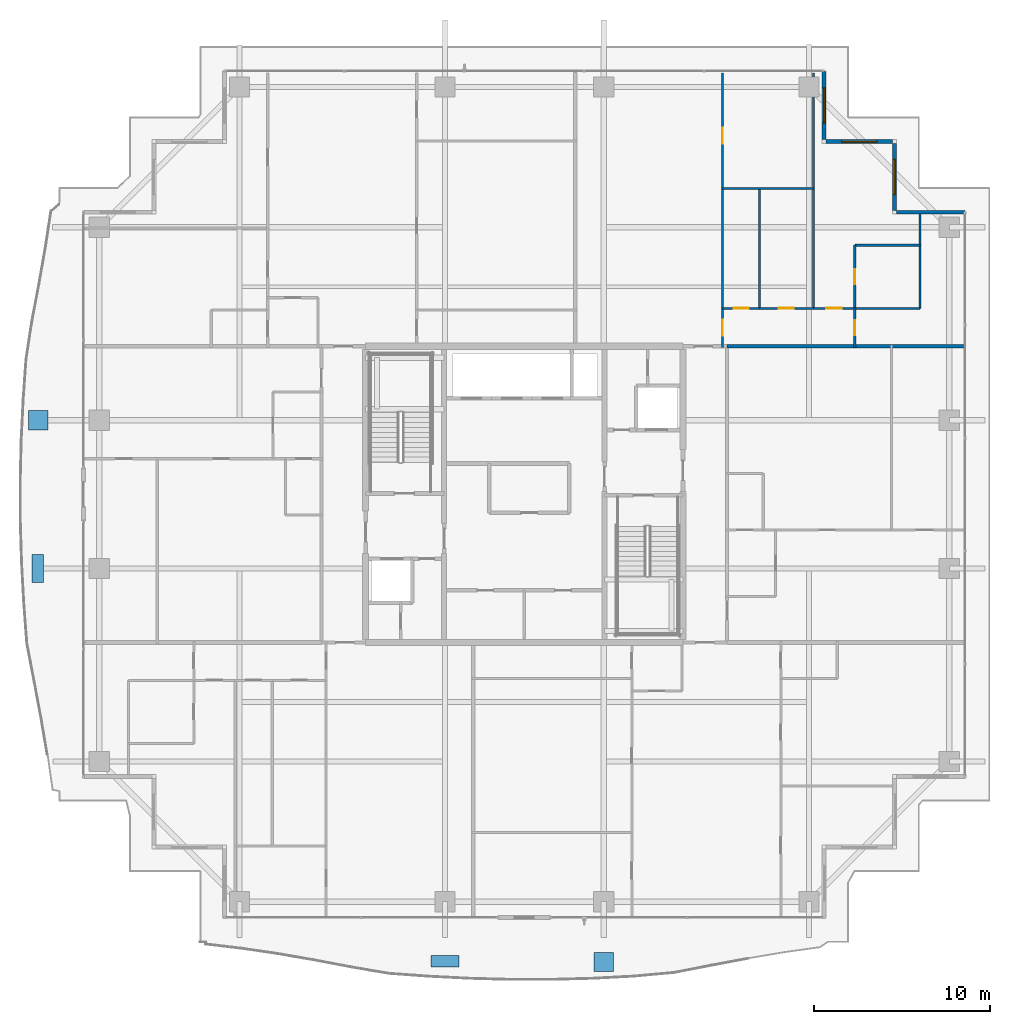
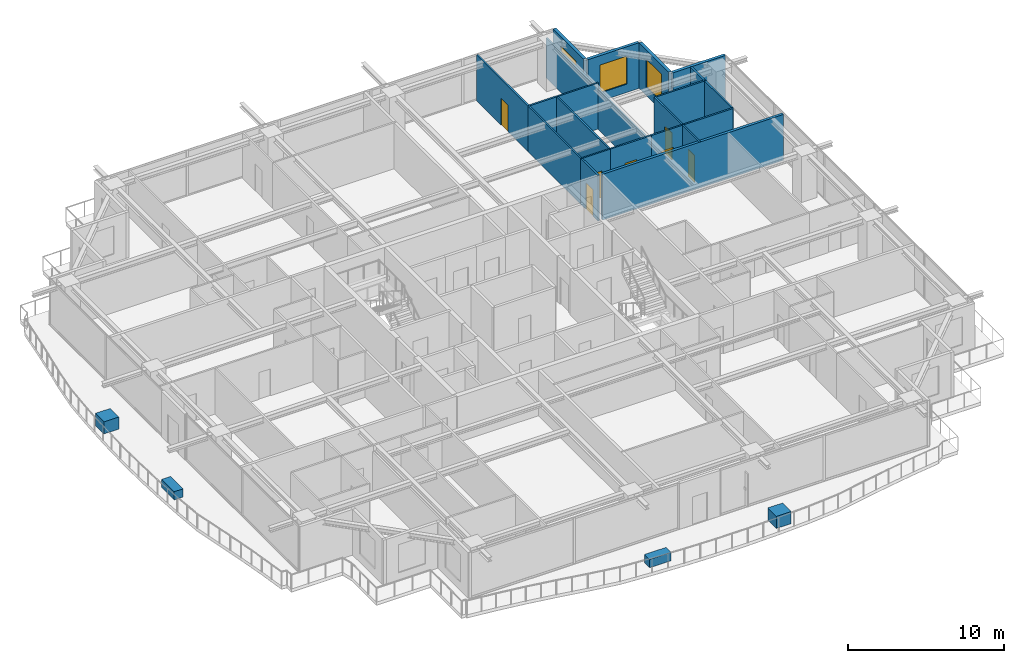
# One storey, part 28 of 37: 19 walls, 7 doors, 4 discrete accessories, 3 windows, 10 openings.
"""IFC4 building model written with IfcOpenShell, lengths in metres."""

from ifc_helpers import new_model, si_unit, direction, frame, frame_2d, origin, origin_2d, place, context, subcontext, project, spatial, rectangle, extrude, source, transform, mapped, material, layer, layer_set, type_object, element, fill, save


model = new_model("IFC4")

# Units and contexts
model_context = context("Model", 3, precision=1e-05, world=origin(), true_north=direction((0.0, 1.0)))
body_context = subcontext(model_context, "Body", "Model", "MODEL_VIEW")
ifc_project = project(units=[si_unit("LENGTHUNIT", "METRE"), si_unit("AREAUNIT", "SQUARE_METRE"), si_unit("VOLUMEUNIT", "CUBIC_METRE"), si_unit("PLANEANGLEUNIT", "RADIAN"), si_unit("MASSUNIT", "GRAM", prefix="KILO")], contexts=[model_context])

# Site, building, storey
site_placement = place(None, origin())
site = spatial("IfcSite", under=ifc_project, at=site_placement, CompositionType="ELEMENT")
building_placement = place(site_placement, origin())
building = spatial("IfcBuilding", under=site, at=building_placement, Name="Serunith Strait Residences", CompositionType="ELEMENT")
storey_placement = place(building_placement, frame((0.0, 0.0, 218.14990234375)))
storey = spatial("IfcBuildingStorey", under=building, at=storey_placement, Name="L54", CompositionType="ELEMENT", Elevation=218.14990234375)

# Wall
ifc_material_1 = material(Name="Pale-Champagne Aluminium Insulated Panel", Category="aluminium")
ifc_layer_1 = layer(ifc_material_1, 0.219970703125, Name="Pale-Champagne Aluminium Insulated Panel")
ifc_layer_set_1 = layer_set([ifc_layer_1], Name="Pale-Champagne Aluminium Insulated Panel")
wall_type_1 = type_object("IfcWallType", Name="EW-ALUM-220", PredefinedType="ELEMENTEDWALL", material=ifc_layer_set_1)
wall_1_placement = place(storey_placement, frame((57.39990234375, 41.199951171875, 0.0), z_axis=(0.0, 0.0, 1.0), x_axis=(-1.0, 0.0, 0.0)))
element("IfcWall", 1, at=wall_1_placement, inside=storey, type_object=wall_type_1, Name="L54 Girih Serrated Corner Wall 07", PredefinedType="ELEMENTEDWALL", context=body_context, shape_type="SweptSolid", body=[
    extrude(rectangle(XDim=3.889892578125, YDim=0.219970703125, at=frame_2d((1.94482421875, 0.0))), origin(), (0.0, 0.0, 1.0), 3.5751953125),
])

# Wall, opening, window
wall_2_placement = place(storey_placement, frame((53.39990234375, 41.31005859375, 0.0), z_axis=(0.0, 0.0, 1.0), x_axis=(0.0, 1.0, 0.0)))
wall_2 = element("IfcWall", 2, at=wall_2_placement, inside=storey, type_object=wall_type_1, Name="L54 Girih Serrated Corner Wall 08", PredefinedType="ELEMENTEDWALL", context=body_context, shape_type="SweptSolid", body=[
    extrude(rectangle(XDim=3.780029296875, YDim=0.219970703125, at=frame_2d((1.89013671875, 0.0))), origin(), (0.0, 0.0, 1.0), 3.5751953125),
])
opening_1_placement = place(wall_2_placement, frame((0.889892578125, 0.0, 0.64990234375)))
opening_1 = element("IfcOpeningElement", 3, at=opening_1_placement, cuts=wall_2, Name="Opening W-04", PredefinedType="OPENING", context=body_context, shape_type="SweptSolid", body=[
    extrude(rectangle(XDim=2.0, YDim=2.199951171875, at=frame_2d((1.0, 1.10009765625))), frame((0.0, 0.1201171875, 0.0), z_axis=(0.0, -1.0, 0.0), x_axis=(1.0, 0.0, 0.0)), (0.0, 0.0, 1.0), 0.239990234375),
])
ifc_material_2 = material(Name="Ceramic-Fritted Operable Aluminium Window Glass", Category="aluminium")
window_type = type_object("IfcWindowType", Name="WIN-C4", PartitioningType="TRIPLE_PANEL_VERTICAL", PredefinedType="WINDOW", material=ifc_material_2)
shared_shape_1 = source(origin(), body_context, "Body", "SweptSolid", [
    extrude(rectangle(XDim=2.0, YDim=2.199951171875, at=frame_2d((1.0, 1.10009765625))), frame((0.0, 0.030029296875, 0.0), z_axis=(0.0, -1.0, 0.0), x_axis=(1.0, 0.0, 0.0)), (0.0, 0.0, 1.0), 0.06005859375),
])
window_1_placement = place(opening_1_placement, origin())
window_1 = element("IfcWindow", 4, at=window_1_placement, inside=storey, type_object=window_type, Name="L54 Corner Operable Fritted Window 08", OverallHeight=2.199951171875, OverallWidth=2.0, PartitioningType="SINGLE_PANEL", PredefinedType="WINDOW", context=body_context, shape_type="MappedRepresentation", body=[
    mapped(shared_shape_1, transform((0.0, 0.0, 0.0), scale=1.0)),
])
fill(opening_1, window_1)

wall_3_placement = place(storey_placement, frame((53.2900390625, 45.199951171875, 0.0), z_axis=(0.0, 0.0, 1.0), x_axis=(-1.0, 0.0, 0.0)))
wall_3 = element("IfcWall", 5, at=wall_3_placement, inside=storey, type_object=wall_type_1, Name="L54 Girih Serrated Corner Wall 09", PredefinedType="ELEMENTEDWALL", context=body_context, shape_type="SweptSolid", body=[
    extrude(rectangle(XDim=3.780029296875, YDim=0.219970703125, at=frame_2d((1.89013671875, 0.0))), origin(), (0.0, 0.0, 1.0), 3.5751953125),
])
opening_2_placement = place(wall_3_placement, frame((0.889892578125, 0.0, 0.64990234375)))
opening_2 = element("IfcOpeningElement", 6, at=opening_2_placement, cuts=wall_3, Name="Opening W-04", PredefinedType="OPENING", context=body_context, shape_type="SweptSolid", body=[
    extrude(rectangle(XDim=2.0, YDim=2.199951171875, at=frame_2d((1.0, 1.10009765625))), frame((0.0, 0.1201171875, 0.0), z_axis=(0.0, -1.0, 0.0), x_axis=(1.0, 0.0, 0.0)), (0.0, 0.0, 1.0), 0.239990234375),
])
window_2_placement = place(opening_2_placement, origin())
window_2 = element("IfcWindow", 7, at=window_2_placement, inside=storey, type_object=window_type, Name="L54 Corner Operable Fritted Window 09", OverallHeight=2.199951171875, OverallWidth=2.0, PartitioningType="SINGLE_PANEL", PredefinedType="WINDOW", context=body_context, shape_type="MappedRepresentation", body=[
    mapped(shared_shape_1, transform((0.0, 0.0, 0.0), scale=1.0)),
])
fill(opening_2, window_2)

wall_4_placement = place(storey_placement, frame((49.39990234375, 45.31005859375, 0.0), z_axis=(0.0, 0.0, 1.0), x_axis=(0.0, 1.0, 0.0)))
wall_4 = element("IfcWall", 8, at=wall_4_placement, inside=storey, type_object=wall_type_1, Name="L54 Girih Serrated Corner Wall 10", PredefinedType="ELEMENTEDWALL", context=body_context, shape_type="SweptSolid", body=[
    extrude(rectangle(XDim=3.889892578125, YDim=0.219970703125, at=frame_2d((1.94482421875, 0.0))), origin(), (0.0, 0.0, 1.0), 3.5751953125),
])
opening_3_placement = place(wall_4_placement, frame((0.945068359375, 0.0, 0.64990234375)))
opening_3 = element("IfcOpeningElement", 9, at=opening_3_placement, cuts=wall_4, Name="Opening W-04", PredefinedType="OPENING", context=body_context, shape_type="SweptSolid", body=[
    extrude(rectangle(XDim=2.0, YDim=2.199951171875, at=frame_2d((1.0, 1.10009765625))), frame((0.0, 0.1201171875, 0.0), z_axis=(0.0, -1.0, 0.0), x_axis=(1.0, 0.0, 0.0)), (0.0, 0.0, 1.0), 0.239990234375),
])
window_3_placement = place(opening_3_placement, origin())
window_3 = element("IfcWindow", 10, at=window_3_placement, inside=storey, type_object=window_type, Name="L54 Corner Operable Fritted Window 10", OverallHeight=2.199951171875, OverallWidth=2.0, PartitioningType="SINGLE_PANEL", PredefinedType="WINDOW", context=body_context, shape_type="MappedRepresentation", body=[
    mapped(shared_shape_1, transform((0.0, 0.0, 0.0), scale=1.0)),
])
fill(opening_3, window_3)

# Wall, opening, door
ifc_material_3 = material(Name="Lightweight steel-stud gypsum partition", Category="steel")
ifc_layer_2 = layer(ifc_material_3, 0.1201171875, Name="Lightweight steel-stud gypsum partition")
ifc_layer_set_2 = layer_set([ifc_layer_2], Name="Lightweight steel-stud gypsum partition")
wall_type_2 = type_object("IfcWallType", Name="IW-PART-120", PredefinedType="PARTITIONING", material=ifc_layer_set_2)
wall_5_placement = place(storey_placement, frame((43.639892578125, 35.75, 0.0), z_axis=(0.0, 0.0, 1.0), x_axis=(0.0, -1.0, 0.0)))
wall_5 = element("IfcWall", 11, at=wall_5_placement, inside=storey, type_object=wall_type_2, Name="L54 Partition Wall 072", PredefinedType="PARTITIONING", context=body_context, shape_type="SweptSolid", body=[
    extrude(rectangle(XDim=2.2099609375, YDim=0.1201171875, at=frame_2d((1.10498046875, 0.0))), origin(), (0.0, 0.0, 1.0), 3.590087890625),
])
opening_4_placement = place(wall_5_placement, frame((0.655029296875, 0.0, 0.0)))
opening_4 = element("IfcOpeningElement", 12, at=opening_4_placement, cuts=wall_5, Name="Opening D-RM900", PredefinedType="OPENING", context=body_context, shape_type="SweptSolid", body=[
    extrude(rectangle(XDim=0.89990234375, YDim=2.10009765625, at=frame_2d((0.449951171875, 1.050048828125))), frame((0.0, 0.070068359375, 0.0), z_axis=(0.0, -1.0, 0.0), x_axis=(1.0, 0.0, 0.0)), (0.0, 0.0, 1.0), 0.14013671875),
])
ifc_material_4 = material(Name="Engineered timber flush bedroom door", Category="wood")
door_type_1 = type_object("IfcDoorType", Name="ID-ROOM-900", OperationType="NOTDEFINED", PredefinedType="DOOR", material=ifc_material_4)
shared_shape_2 = source(origin(), body_context, "Body", "SweptSolid", [
    extrude(rectangle(XDim=0.89990234375, YDim=2.10009765625, at=frame_2d((0.449951171875, 1.050048828125))), frame((0.0, 0.02490234375, 0.0), z_axis=(0.0, -1.0, 0.0), x_axis=(1.0, 0.0, 0.0)), (0.0, 0.0, 1.0), 0.050048828125),
])
door_1_placement = place(opening_4_placement, origin())
door_1 = element("IfcDoor", 13, at=door_1_placement, inside=storey, type_object=door_type_1, Name="L54 Hall E 5404 Door", OperationType="SINGLE_SWING_RIGHT", OverallHeight=2.10009765625, OverallWidth=0.89990234375, PredefinedType="DOOR", context=body_context, shape_type="MappedRepresentation", body=[
    mapped(shared_shape_2, transform((0.0, 0.0, 0.0), scale=1.0)),
])
fill(opening_4, door_1)

wall_6_placement = place(storey_placement, frame((43.639892578125, 49.10498046875, 0.0), z_axis=(0.0, 0.0, 1.0), x_axis=(0.0, -1.0, 0.0)))
wall_6 = element("IfcWall", 14, at=wall_6_placement, inside=storey, type_object=wall_type_2, Name="L54 Partition Wall 073", PredefinedType="PARTITIONING", context=body_context, shape_type="SweptSolid", body=[
    extrude(rectangle(XDim=6.56494140625, YDim=0.1201171875, at=frame_2d((3.282470703125, 0.0))), origin(), (0.0, 0.0, 1.0), 3.590087890625),
])
opening_5_placement = place(wall_6_placement, frame((3.115966796875, 0.0, 0.0)))
opening_5 = element("IfcOpeningElement", 15, at=opening_5_placement, cuts=wall_6, Name="Opening D-RM900", PredefinedType="OPENING", context=body_context, shape_type="SweptSolid", body=[
    extrude(rectangle(XDim=0.89990234375, YDim=2.10009765625, at=frame_2d((0.449951171875, 1.050048828125))), frame((0.0, 0.070068359375, 0.0), z_axis=(0.0, -1.0, 0.0), x_axis=(1.0, 0.0, 0.0)), (0.0, 0.0, 1.0), 0.14013671875),
])
door_2_placement = place(opening_5_placement, origin())
door_2 = element("IfcDoor", 16, at=door_2_placement, inside=storey, type_object=door_type_1, Name="L54 Formal Dining Room 1 5404 Door", OperationType="SINGLE_SWING_LEFT", OverallHeight=2.10009765625, OverallWidth=0.89990234375, PredefinedType="DOOR", context=body_context, shape_type="MappedRepresentation", body=[
    mapped(shared_shape_2, transform((0.0, 0.0, 0.0), scale=1.0)),
])
fill(opening_5, door_2)

# Walls
wall_7_placement = place(storey_placement, frame((43.639892578125, 42.5380859375, 0.0), z_axis=(0.0, 0.0, 1.0), x_axis=(0.0, -1.0, 0.0)))
element("IfcWall", 17, at=wall_7_placement, inside=storey, type_object=wall_type_2, Name="L54 Partition Wall 074", PredefinedType="PARTITIONING", context=body_context, shape_type="SweptSolid", body=[
    extrude(rectangle(XDim=6.7861328125, YDim=0.1201171875, at=frame_2d((3.39306640625, 0.0))), origin(), (0.0, 0.0, 1.0), 3.590087890625),
])
wall_8_placement = place(storey_placement, frame((43.639892578125, 42.5400390625, 0.0), z_axis=(0.0, 0.0, 1.0), x_axis=(1.0, 0.0, 0.0)))
element("IfcWall", 18, at=wall_8_placement, inside=storey, type_object=wall_type_2, Name="L54 Partition Wall 075", PredefinedType="PARTITIONING", context=body_context, shape_type="SweptSolid", body=[
    extrude(rectangle(XDim=5.150146484375, YDim=0.1201171875, at=frame_2d((2.5751953125, 0.0))), origin(), (0.0, 0.0, 1.0), 3.590087890625),
])
wall_9_placement = place(storey_placement, frame((48.7900390625, 49.10498046875, 0.0), z_axis=(0.0, 0.0, 1.0), x_axis=(0.0, -1.0, 0.0)))
element("IfcWall", 19, at=wall_9_placement, inside=storey, type_object=wall_type_2, Name="L54 Partition Wall 076", PredefinedType="PARTITIONING", context=body_context, shape_type="SweptSolid", body=[
    extrude(rectangle(XDim=13.35498046875, YDim=0.1201171875, at=frame_2d((6.677490234375, 0.0))), origin(), (0.0, 0.0, 1.0), 3.1220703125),
])
wall_10_placement = place(storey_placement, frame((45.739990234375, 42.5400390625, 0.0), z_axis=(0.0, 0.0, 1.0), x_axis=(0.0, -1.0, 0.0)))
element("IfcWall", 20, at=wall_10_placement, inside=storey, type_object=wall_type_2, Name="L54 Partition Wall 077", PredefinedType="PARTITIONING", context=body_context, shape_type="SweptSolid", body=[
    extrude(rectangle(XDim=6.7900390625, YDim=0.1201171875, at=frame_2d((3.39501953125, 0.0))), origin(), (0.0, 0.0, 1.0), 3.590087890625),
])

# Wall, opening, door
wall_11_placement = place(storey_placement, frame((43.639892578125, 35.75, 0.0), z_axis=(0.0, 0.0, 1.0), x_axis=(1.0, 0.0, 0.0)))
wall_11 = element("IfcWall", 21, at=wall_11_placement, inside=storey, type_object=wall_type_2, Name="L54 Partition Wall 078", PredefinedType="PARTITIONING", context=body_context, shape_type="SweptSolid", body=[
    extrude(rectangle(XDim=2.10009765625, YDim=0.1201171875, at=frame_2d((1.050048828125, 0.0))), origin(), (0.0, 0.0, 1.0), 3.590087890625),
])
opening_6_placement = place(wall_11_placement, frame((0.625, 0.0, 0.0)))
opening_6 = element("IfcOpeningElement", 22, at=opening_6_placement, cuts=wall_11, Name="Opening D-BTH850", PredefinedType="OPENING", context=body_context, shape_type="SweptSolid", body=[
    extrude(rectangle(XDim=0.85009765625, YDim=2.10009765625, at=frame_2d((0.425048828125, 1.050048828125))), frame((0.0, 0.070068359375, 0.0), z_axis=(0.0, -1.0, 0.0), x_axis=(1.0, 0.0, 0.0)), (0.0, 0.0, 1.0), 0.14013671875),
])
ifc_material_5 = material(Name="Moisture-resistant timber bathroom door", Category="wood")
door_type_2 = type_object("IfcDoorType", Name="ID-BATH-850", OperationType="NOTDEFINED", PredefinedType="DOOR", material=ifc_material_5)
shared_shape_3 = source(origin(), body_context, "Body", "SweptSolid", [
    extrude(rectangle(XDim=0.85009765625, YDim=2.10009765625, at=frame_2d((0.425048828125, 1.050048828125))), frame((0.0, 0.02490234375, 0.0), z_axis=(0.0, -1.0, 0.0), x_axis=(1.0, 0.0, 0.0)), (0.0, 0.0, 1.0), 0.050048828125),
])
door_3_placement = place(opening_6_placement, origin())
door_3 = element("IfcDoor", 23, at=door_3_placement, inside=storey, type_object=door_type_2, Name="L54 Bathroom 5404 Door", OperationType="SINGLE_SWING_RIGHT", OverallHeight=2.10009765625, OverallWidth=0.85009765625, PredefinedType="DOOR", context=body_context, shape_type="MappedRepresentation", body=[
    mapped(shared_shape_3, transform((0.0, 0.0, 0.0), scale=1.0)),
])
fill(opening_6, door_3)

wall_12_placement = place(storey_placement, frame((45.741943359375, 35.75, 0.0), z_axis=(0.0, 0.0, 1.0), x_axis=(1.0, 0.0, 0.0)))
wall_12 = element("IfcWall", 24, at=wall_12_placement, inside=storey, type_object=wall_type_2, Name="L54 Partition Wall 079", PredefinedType="PARTITIONING", context=body_context, shape_type="SweptSolid", body=[
    extrude(rectangle(XDim=3.048095703125, YDim=0.1201171875, at=frame_2d((1.52392578125, 0.0))), origin(), (0.0, 0.0, 1.0), 3.590087890625),
])
opening_7_placement = place(wall_12_placement, frame((1.09912109375, 0.0, 0.0)))
opening_7 = element("IfcOpeningElement", 25, at=opening_7_placement, cuts=wall_12, Name="Opening D-RM850", PredefinedType="OPENING", context=body_context, shape_type="SweptSolid", body=[
    extrude(rectangle(XDim=0.85009765625, YDim=2.10009765625, at=frame_2d((0.425048828125, 1.050048828125))), frame((0.0, 0.070068359375, 0.0), z_axis=(0.0, -1.0, 0.0), x_axis=(1.0, 0.0, 0.0)), (0.0, 0.0, 1.0), 0.14013671875),
])
ifc_material_6 = material(Name="Engineered timber flush study and kitchen door", Category="wood")
door_type_3 = type_object("IfcDoorType", Name="ID-ROOM-850", OperationType="NOTDEFINED", PredefinedType="DOOR", material=ifc_material_6)
door_4_placement = place(opening_7_placement, origin())
door_4 = element("IfcDoor", 26, at=door_4_placement, inside=storey, type_object=door_type_3, Name="L54 Kitchen 5404 Door", OperationType="SINGLE_SWING_LEFT", OverallHeight=2.10009765625, OverallWidth=0.85009765625, PredefinedType="DOOR", context=body_context, shape_type="MappedRepresentation", body=[
    mapped(shared_shape_3, transform((0.0, 0.0, 0.0), scale=1.0)),
])
fill(opening_7, door_4)

wall_13_placement = place(storey_placement, frame((48.7919921875, 35.75, 0.0), z_axis=(0.0, 0.0, 1.0), x_axis=(1.0, 0.0, 0.0)))
wall_13 = element("IfcWall", 27, at=wall_13_placement, inside=storey, type_object=wall_type_2, Name="L54 Partition Wall 080", PredefinedType="PARTITIONING", context=body_context, shape_type="SweptSolid", body=[
    extrude(rectangle(XDim=2.347900390625, YDim=0.1201171875, at=frame_2d((1.173828125, 0.0))), origin(), (0.0, 0.0, 1.0), 3.590087890625),
])
opening_8_placement = place(wall_13_placement, frame((0.72412109375, 0.0, 0.0)))
opening_8 = element("IfcOpeningElement", 28, at=opening_8_placement, cuts=wall_13, Name="Opening D-RM900", PredefinedType="OPENING", context=body_context, shape_type="SweptSolid", body=[
    extrude(rectangle(XDim=0.89990234375, YDim=2.10009765625, at=frame_2d((0.449951171875, 1.050048828125))), frame((0.0, 0.070068359375, 0.0), z_axis=(0.0, -1.0, 0.0), x_axis=(1.0, 0.0, 0.0)), (0.0, 0.0, 1.0), 0.14013671875),
])
door_5_placement = place(opening_8_placement, origin())
door_5 = element("IfcDoor", 29, at=door_5_placement, inside=storey, type_object=door_type_1, Name="L54 Master Bedroom E 5404 Door", OperationType="SINGLE_SWING_RIGHT", OverallHeight=2.10009765625, OverallWidth=0.89990234375, PredefinedType="DOOR", context=body_context, shape_type="MappedRepresentation", body=[
    mapped(shared_shape_2, transform((0.0, 0.0, 0.0), scale=1.0)),
])
fill(opening_8, door_5)

# Walls
wall_14_placement = place(storey_placement, frame((51.139892578125, 39.3291015625, 0.0), z_axis=(0.0, 0.0, 1.0), x_axis=(1.0, 0.0, 0.0)))
element("IfcWall", 30, at=wall_14_placement, inside=storey, type_object=wall_type_2, Name="L54 Partition Wall 081", PredefinedType="PARTITIONING", context=body_context, shape_type="SweptSolid", body=[
    extrude(rectangle(XDim=3.7001953125, YDim=0.1201171875, at=frame_2d((1.85009765625, 0.0))), origin(), (0.0, 0.0, 1.0), 3.590087890625),
])
wall_15_placement = place(storey_placement, frame((54.840087890625, 41.10498046875, 0.0), z_axis=(0.0, 0.0, 1.0), x_axis=(0.0, -1.0, 0.0)))
element("IfcWall", 31, at=wall_15_placement, inside=storey, type_object=wall_type_2, Name="L54 Partition Wall 082", PredefinedType="PARTITIONING", context=body_context, shape_type="SweptSolid", body=[
    extrude(rectangle(XDim=5.35498046875, YDim=0.1201171875, at=frame_2d((2.677490234375, 0.0))), origin(), (0.0, 0.0, 1.0), 3.590087890625),
])
wall_16_placement = place(storey_placement, frame((51.14208984375, 35.75, 0.0), z_axis=(0.0, 0.0, 1.0), x_axis=(1.0, 0.0, 0.0)))
element("IfcWall", 32, at=wall_16_placement, inside=storey, type_object=wall_type_2, Name="L54 Partition Wall 083", PredefinedType="PARTITIONING", context=body_context, shape_type="SweptSolid", body=[
    extrude(rectangle(XDim=3.697998046875, YDim=0.1201171875, at=frame_2d((1.84912109375, 0.0))), origin(), (0.0, 0.0, 1.0), 3.590087890625),
])

# Wall, opening, door
wall_17_placement = place(storey_placement, frame((51.139892578125, 39.3291015625, 0.0), z_axis=(0.0, 0.0, 1.0), x_axis=(0.0, -1.0, 0.0)))
wall_17 = element("IfcWall", 33, at=wall_17_placement, inside=storey, type_object=wall_type_2, Name="L54 Partition Wall 084", PredefinedType="PARTITIONING", context=body_context, shape_type="SweptSolid", body=[
    extrude(rectangle(XDim=3.5791015625, YDim=0.1201171875, at=frame_2d((1.78955078125, 0.0))), origin(), (0.0, 0.0, 1.0), 3.590087890625),
])
opening_9_placement = place(wall_17_placement, frame((1.364990234375, 0.0, 0.0)))
opening_9 = element("IfcOpeningElement", 34, at=opening_9_placement, cuts=wall_17, Name="Opening D-BTH850", PredefinedType="OPENING", context=body_context, shape_type="SweptSolid", body=[
    extrude(rectangle(XDim=0.85009765625, YDim=2.10009765625, at=frame_2d((0.425048828125, 1.050048828125))), frame((0.0, 0.070068359375, 0.0), z_axis=(0.0, -1.0, 0.0), x_axis=(1.0, 0.0, 0.0)), (0.0, 0.0, 1.0), 0.14013671875),
])
door_6_placement = place(opening_9_placement, origin())
door_6 = element("IfcDoor", 35, at=door_6_placement, inside=storey, type_object=door_type_2, Name="L54 En-suite Bathroom E 5404 Door", OperationType="SINGLE_SWING_LEFT", OverallHeight=2.10009765625, OverallWidth=0.85009765625, PredefinedType="DOOR", context=body_context, shape_type="MappedRepresentation", body=[
    mapped(shared_shape_3, transform((0.0, 0.0, 0.0), scale=1.0)),
])
fill(opening_9, door_6)

wall_18_placement = place(storey_placement, frame((51.139892578125, 35.748046875, 0.0), z_axis=(0.0, 0.0, 1.0), x_axis=(0.0, -1.0, 0.0)))
wall_18 = element("IfcWall", 36, at=wall_18_placement, inside=storey, type_object=wall_type_2, Name="L54 Partition Wall 085", PredefinedType="PARTITIONING", context=body_context, shape_type="SweptSolid", body=[
    extrude(rectangle(XDim=2.2080078125, YDim=0.1201171875, at=frame_2d((1.10400390625, 0.0))), origin(), (0.0, 0.0, 1.0), 3.590087890625),
])
opening_10_placement = place(wall_18_placement, frame((0.678955078125, 0.0, 0.0)))
opening_10 = element("IfcOpeningElement", 37, at=opening_10_placement, cuts=wall_18, Name="Opening D-RM850", PredefinedType="OPENING", context=body_context, shape_type="SweptSolid", body=[
    extrude(rectangle(XDim=0.85009765625, YDim=2.10009765625, at=frame_2d((0.425048828125, 1.050048828125))), frame((0.0, 0.070068359375, 0.0), z_axis=(0.0, -1.0, 0.0), x_axis=(1.0, 0.0, 0.0)), (0.0, 0.0, 1.0), 0.14013671875),
])
door_7_placement = place(opening_10_placement, origin())
door_7 = element("IfcDoor", 38, at=door_7_placement, inside=storey, type_object=door_type_3, Name="L54 Wardrobe E 5404 Door", OperationType="SINGLE_SWING_RIGHT", OverallHeight=2.10009765625, OverallWidth=0.85009765625, PredefinedType="DOOR", context=body_context, shape_type="MappedRepresentation", body=[
    mapped(shared_shape_3, transform((0.0, 0.0, 0.0), scale=1.0)),
])
fill(opening_10, door_7)

# Wall
ifc_material_7 = material(Name="Twin-stud acoustic gypsum board partition")
ifc_layer_3 = layer(ifc_material_7, 0.199951171875, Name="Twin-stud acoustic gypsum board partition")
ifc_layer_set_3 = layer_set([ifc_layer_3], Name="Twin-stud acoustic gypsum board partition")
wall_type_3 = type_object("IfcWallType", Name="IW-PARTY-200", PredefinedType="PARTITIONING", material=ifc_layer_set_3)
wall_19_placement = place(storey_placement, frame((43.89990234375, 33.60009765625, 0.0), z_axis=(0.0, 0.0, 1.0), x_axis=(1.0, 0.0, 0.0)))
element("IfcWall", 39, at=wall_19_placement, inside=storey, type_object=wall_type_3, Name="L54 Partition Wall 025", PredefinedType="PARTITIONING", context=body_context, shape_type="SweptSolid", body=[
    extrude(rectangle(XDim=13.418212890625, YDim=0.199951171875, at=frame_2d((6.708984375, 0.0))), origin(), (0.0, 0.0, 1.0), 3.590087890625),
])

# Discrete accessories
ifc_material_8 = material(Name="GFRC Root-Anchored Structural Planter")
discrete_accessory_type_1 = type_object("IfcDiscreteAccessoryType", Name="ACC-PLANTER-TREE", PredefinedType="USERDEFINED", material=ifc_material_8)
shared_shape_4 = source(origin(), body_context, "Body", "SweptSolid", [
    extrude(rectangle(XDim=1.10009765625, YDim=1.10009765625, at=origin_2d()), origin(), (0.0, 0.0, 1.0), 0.949951171875),
])
for number, where, z_axis, x_axis, name in (
    (40, (36.89990234375, -1.31884765625, -0.0498046875), (0.0, 0.0, 1.0), (1.0, 0.0, 0.0), "L54 Vertical-Forest Tree Planter 03"),
    (41, (4.836669921875, 29.39990234375, -0.0498046875), (0.0, 0.0, 1.0), (0.0, -1.0, 0.0), "L54 Vertical-Forest Tree Planter 15"),
):
    element("IfcDiscreteAccessory", number, at=place(storey_placement, frame(where, z_axis=z_axis, x_axis=x_axis)), inside=storey, type_object=discrete_accessory_type_1, Name=name, ObjectType="PLANTER", PredefinedType="USERDEFINED", context=body_context, shape_type="MappedRepresentation", body=[
        mapped(shared_shape_4, transform((0.0, 0.0, 0.0), scale=1.0)),
    ])
ifc_material_9 = material(Name="GFRC Irrigated Shrub Trough Planter")
discrete_accessory_type_2 = type_object("IfcDiscreteAccessoryType", Name="ACC-PLANTER-SHRUB", PredefinedType="USERDEFINED", material=ifc_material_9)
shared_shape_5 = source(origin(), body_context, "Body", "SweptSolid", [
    extrude(rectangle(XDim=1.60009765625, YDim=0.64990234375, at=origin_2d()), origin(), (0.0, 0.0, 1.0), 0.64990234375),
])
for number, where, z_axis, x_axis, name in (
    (42, (27.89990234375, -1.2802734375, -0.0498046875), (0.0, 0.0, 1.0), (1.0, 0.0, 0.0), "L54 Vertical-Forest Shrub Planter 02"),
    (43, (4.8212890625, 21.0, -0.0498046875), (0.0, 0.0, 1.0), (0.0, -1.0, 0.0), "L54 Vertical-Forest Shrub Planter 14"),
):
    element("IfcDiscreteAccessory", number, at=place(storey_placement, frame(where, z_axis=z_axis, x_axis=x_axis)), inside=storey, type_object=discrete_accessory_type_2, Name=name, ObjectType="PLANTER", PredefinedType="USERDEFINED", context=body_context, shape_type="MappedRepresentation", body=[
        mapped(shared_shape_5, transform((0.0, 0.0, 0.0), scale=1.0)),
    ])

save(model, "model.ifc")
